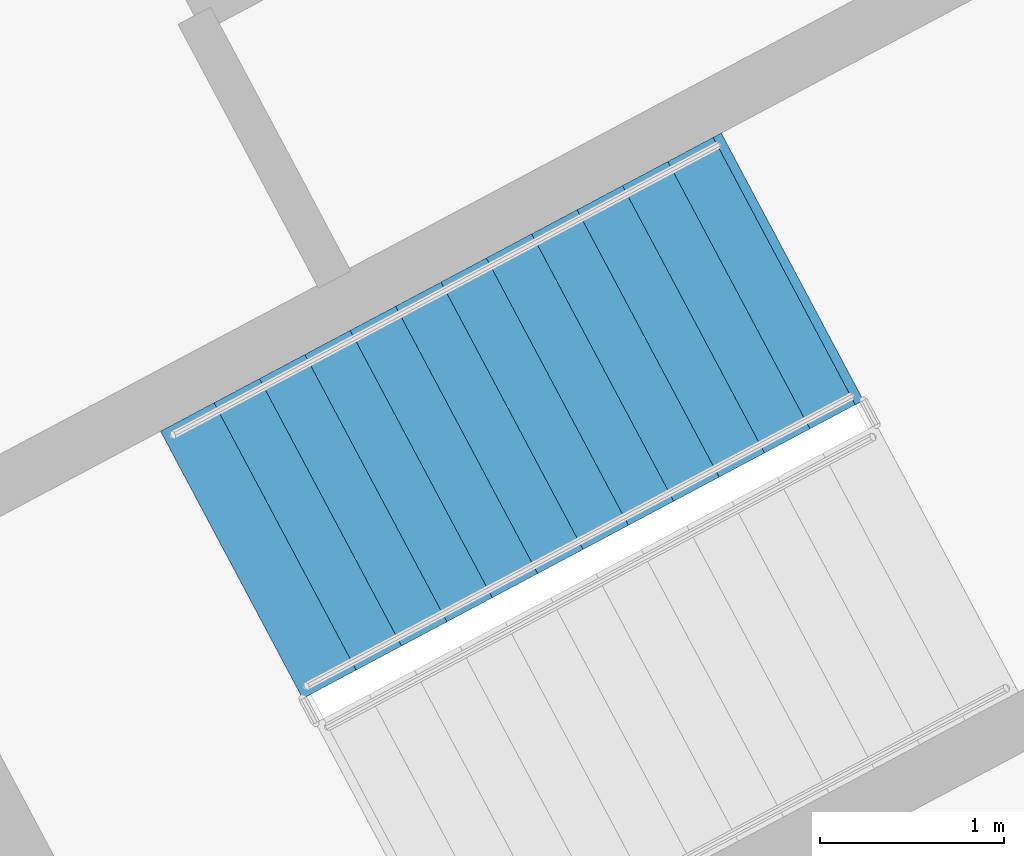
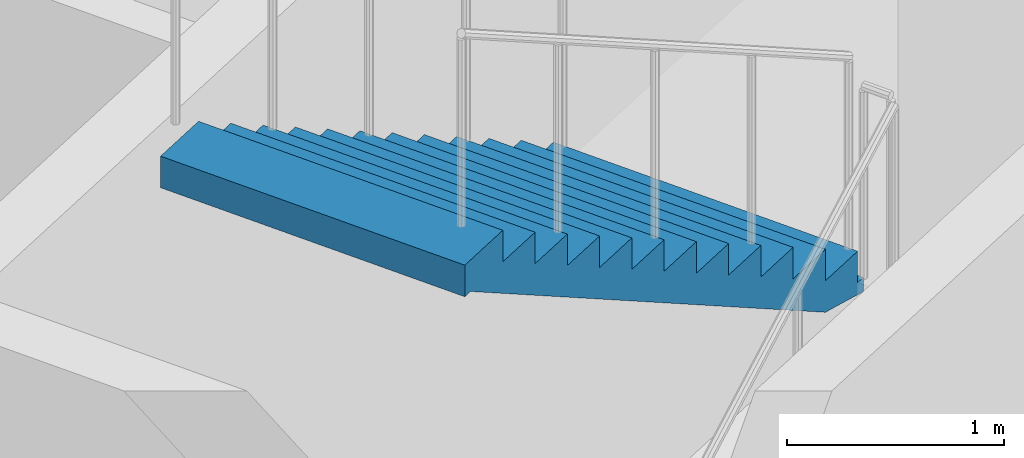
# One storey, part 20 of 31: 1 stair flight, 1 element without a shape of its own.
"""IFC4 building model written with IfcOpenShell, lengths in metres."""

from ifc_helpers import new_model, si_unit, direction, frame, origin, place, context, subcontext, project, spatial, polyline, outline, extrude, material, type_object, element, aggregate, save


model = new_model("IFC4")

# Units and contexts
model_context = context("Model", 3, precision=1e-05, world=origin(), true_north=direction((0.0, 1.0)))
body_context = subcontext(model_context, "Body", "Model", "MODEL_VIEW")
ifc_project = project(units=[si_unit("LENGTHUNIT", "METRE"), si_unit("AREAUNIT", "SQUARE_METRE"), si_unit("VOLUMEUNIT", "CUBIC_METRE"), si_unit("PLANEANGLEUNIT", "RADIAN"), si_unit("MASSUNIT", "GRAM", prefix="KILO")], contexts=[model_context])

# Site, building, storey
site_placement = place(None, origin())
site = spatial("IfcSite", under=ifc_project, at=site_placement, CompositionType="ELEMENT")
building_placement = place(site_placement, origin())
building = spatial("IfcBuilding", under=site, at=building_placement, Name="Cormorant Relay Tower", CompositionType="ELEMENT")
storey_placement = place(building_placement, frame((0.0, 0.0, 107.60009765625)))
storey = spatial("IfcBuildingStorey", under=building, at=storey_placement, Name="L21", CompositionType="ELEMENT", Elevation=107.60009765625)

# Stair, stair flight
ifc_material_1 = material(Name="Concrete 40 MPa", Category="concrete")
stair_type = type_object("IfcStairType", Name="Exit stair 1500", PredefinedType="HALF_TURN_STAIR", material=ifc_material_1)
stair_placement = place(storey_placement, origin())
stair = element("IfcStair", 1, at=stair_placement, inside=storey, type_object=stair_type, Name="L21 Stair", PredefinedType="HALF_TURN_STAIR")
ifc_material_2 = material(Name="Concrete 40 MPa", Category="concrete")
stair_flight_type = type_object("IfcStairFlightType", Name="Exit stair flight 1650", PredefinedType="STRAIGHT", material=ifc_material_2)
stair_flight_placement = place(storey_placement, frame((47.0693359375, 34.668701171875, 2.2998046875), z_axis=(0.0, 0.0, 1.0), x_axis=(-0.882947502727, -0.4694717323, 0.0)))
stair_flight = element("IfcStairFlight", 2, at=stair_flight_placement, type_object=stair_flight_type, Name="RB1 flight 2", NumberOfRisers=13, NumberOfTreads=12, PredefinedType="STRAIGHT", RiserHeight=0.176923077, TreadLength=0.28, context=body_context, shape_type="SweptSolid", body=[
    extrude(outline(polyline([(-0.050048828125, -0.080078125), (-0.050048828125, 0.0), (0.0, 0.0), (0.0, 0.177001953125), (0.280029296875, 0.177001953125), (0.280029296875, 0.353759765625), (0.56005859375, 0.353759765625), (0.56005859375, 0.53076171875), (0.840087890625, 0.53076171875), (0.840087890625, 0.707763671875), (1.1201171875, 0.707763671875), (1.1201171875, 0.884521484375), (1.39990234375, 0.884521484375), (1.39990234375, 1.0615234375), (1.679931640625, 1.0615234375), (1.679931640625, 1.238525390625), (1.9599609375, 1.238525390625), (1.9599609375, 1.415283203125), (2.239990234375, 1.415283203125), (2.239990234375, 1.59228515625), (2.52001953125, 1.59228515625), (2.52001953125, 1.769287109375), (2.800048828125, 1.769287109375), (2.800048828125, 1.946044921875), (3.080078125, 1.946044921875), (3.080078125, 2.123046875), (3.360107421875, 2.123046875), (3.41015625, 2.123046875), (3.41015625, 1.94580078125), (3.360107421875, 1.94580078125), (0.280517578125, 0.0), (-0.050048828125, -0.080078125)])), frame((0.0, 0.824951171875, 0.0), z_axis=(0.0, -1.0, 0.0), x_axis=(1.0, 0.0, 0.0)), (0.0, 0.0, 1.0), 1.64990234375),
])
aggregate(stair, [stair_flight])

save(model, "model.ifc")
